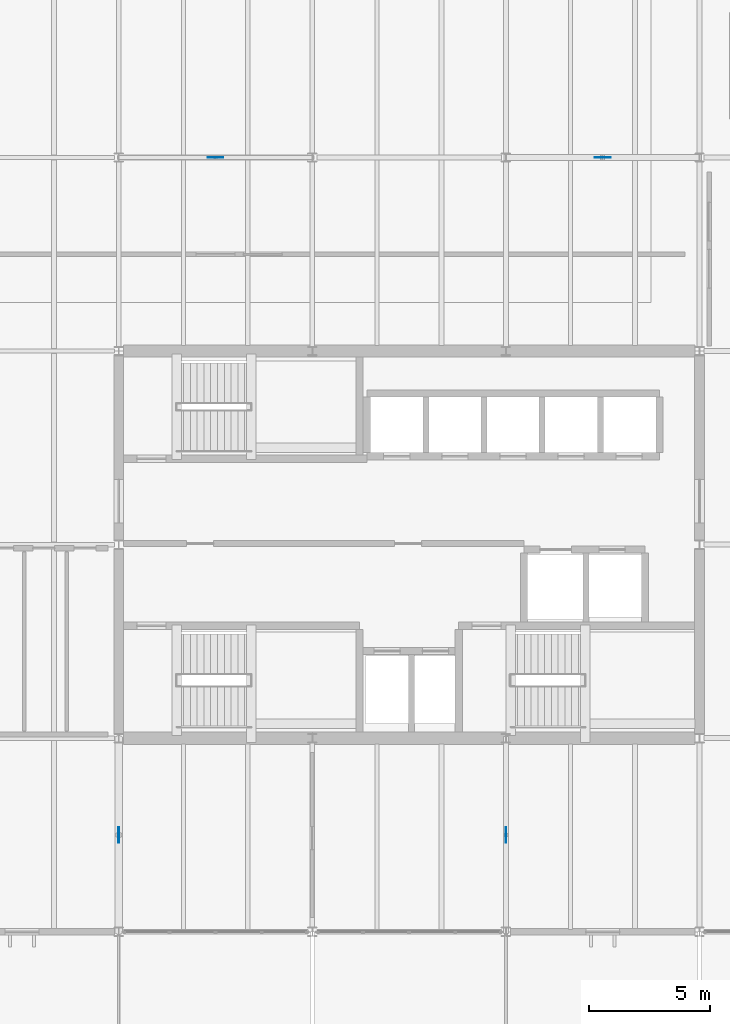
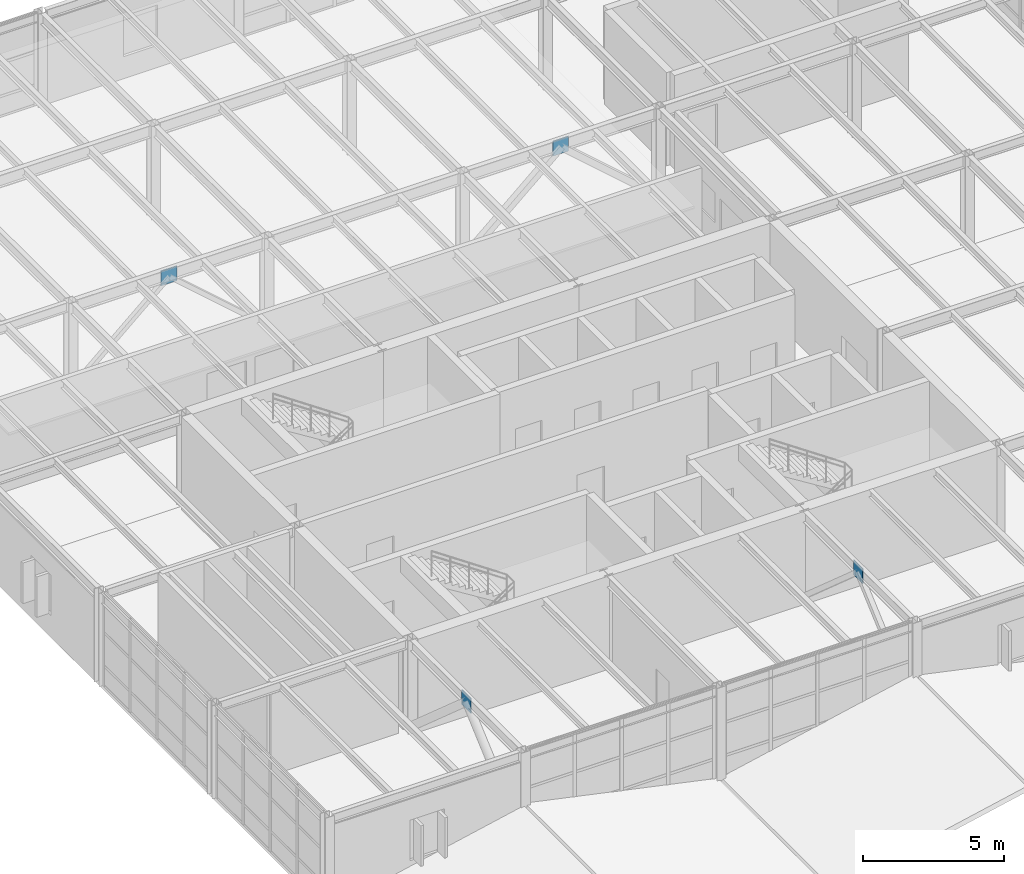
# One storey, part 25 of 34: 4 plates.
"""IFC4 building model written with IfcOpenShell, lengths in metres."""

from ifc_helpers import new_model, si_unit, direction, frame, origin, origin_2d, place, context, subcontext, project, spatial, rectangle, extrude, material, layer, layer_set, type_object, element, save


model = new_model("IFC4")

# Units and contexts
model_context = context("Model", 3, precision=1e-05, world=origin(), true_north=direction((0.0, 1.0)))
body_context = subcontext(model_context, "Body", "Model", "MODEL_VIEW")
ifc_project = project(units=[si_unit("LENGTHUNIT", "METRE"), si_unit("AREAUNIT", "SQUARE_METRE"), si_unit("VOLUMEUNIT", "CUBIC_METRE"), si_unit("PLANEANGLEUNIT", "RADIAN"), si_unit("MASSUNIT", "GRAM", prefix="KILO")], contexts=[model_context])

# Site, building, storey
site_placement = place(None, origin())
site = spatial("IfcSite", under=ifc_project, at=site_placement, CompositionType="ELEMENT")
building_placement = place(site_placement, origin())
building = spatial("IfcBuilding", under=site, at=building_placement, Name="Varnela Railside Interchange", CompositionType="ELEMENT")
storey_placement = place(building_placement, frame((0.0, 0.0, 19.60009765625)))
storey = spatial("IfcBuildingStorey", under=building, at=storey_placement, Name="L04", CompositionType="ELEMENT", Elevation=19.60009765625)

# Plates
ifc_material = material(Name="Steel AR 350 (350 MPa)", Category="steel")
ifc_layer = layer(ifc_material, 0.64990234375)
ifc_layer_set = layer_set([ifc_layer], Name="Steel AR 350 (350 MPa)")
plate_type = type_object("IfcPlateType", Name="Brace Gusset Plate GP-01", PredefinedType="SHEET", material=ifc_layer_set)
for number, where, z_axis, x_axis, name in (
    (1, (16.0, 78.0, 3.344970703125), (0.0, 0.0, 1.0), (1.0, 0.0, 0.0), "Brace Gusset Plate GP-01 (L04) (PL-032)"),
    (2, (32.0, 78.0, 3.344970703125), (0.0, 0.0, 1.0), (1.0, 0.0, 0.0), "Brace Gusset Plate GP-01 (L04) (PL-033)"),
    (3, (12.0, 50.0, 3.344970703125), (0.0, 0.0, 1.0), (0.0, 1.0, 0.0), "Brace Gusset Plate GP-01 (L04) (PL-034)"),
    (4, (28.0, 50.0, 3.344970703125), (0.0, 0.0, 1.0), (0.0, 1.0, 0.0), "Brace Gusset Plate GP-01 (L04) (PL-035)"),
):
    element("IfcPlate", number, at=place(storey_placement, frame(where, z_axis=z_axis, x_axis=x_axis)), inside=storey, type_object=plate_type, Name=name, PredefinedType="SHEET", context=body_context, shape_type="SweptSolid", body=[
        extrude(rectangle(XDim=0.64990234375, YDim=0.030029296875, at=origin_2d()), origin(), (0.0, 0.0, 1.0), 0.64990234375),
    ])

save(model, "model.ifc")
